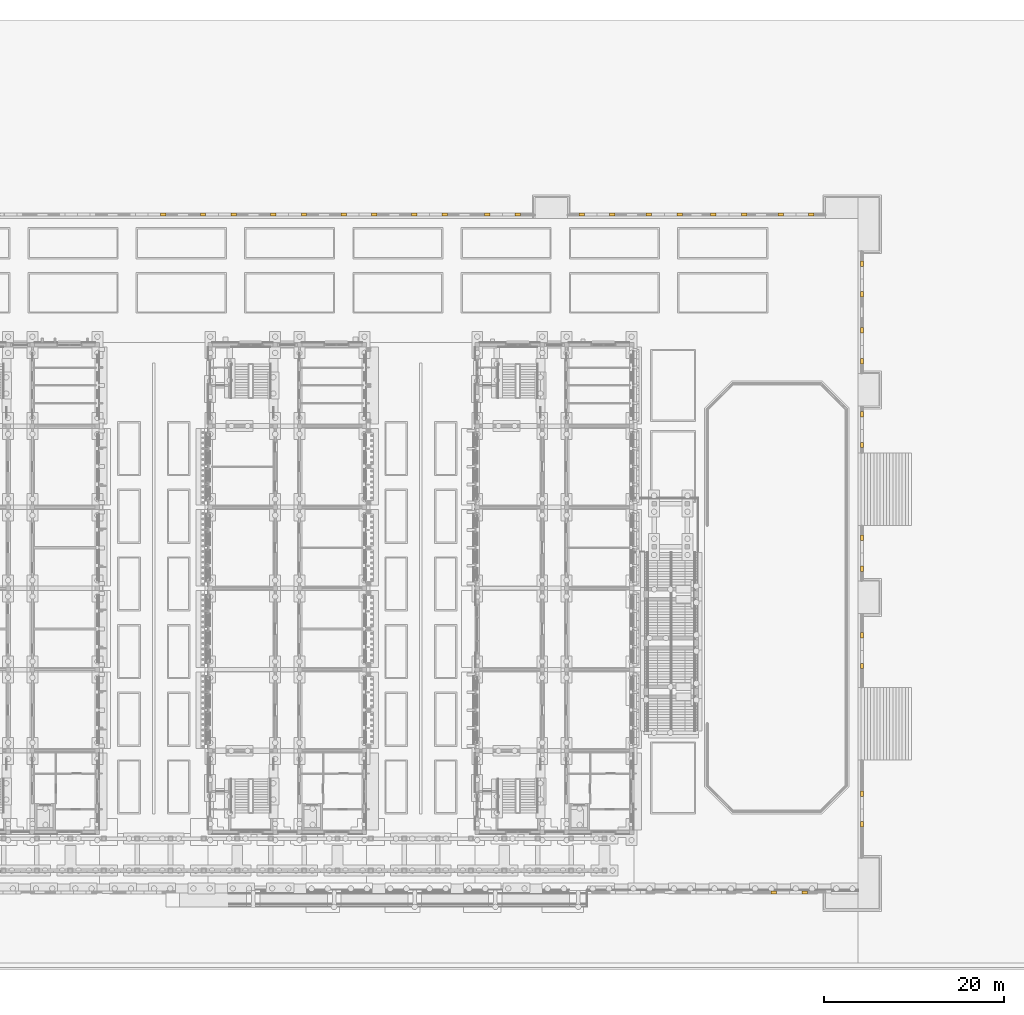
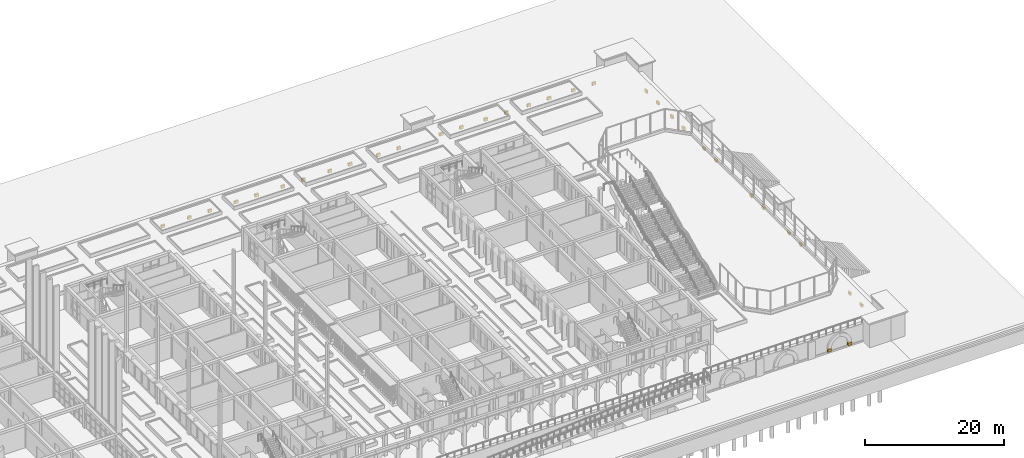
# One storey, part 160 of 161: 33 coverings.
"""IFC4 building model written with IfcOpenShell, lengths in metres."""

from ifc_helpers import new_model, si_unit, direction, frame, origin, place, context, subcontext, project, spatial, polyline, outline, extrude, material, layer, layer_set, type_object, element, save


model = new_model("IFC4")

# Units and contexts
model_context = context("Model", 3, precision=1e-05, world=origin(), true_north=direction((0.0, 1.0)))
body_context = subcontext(model_context, "Body", "Model", "MODEL_VIEW")
ifc_project = project(units=[si_unit("LENGTHUNIT", "METRE"), si_unit("AREAUNIT", "SQUARE_METRE"), si_unit("VOLUMEUNIT", "CUBIC_METRE"), si_unit("PLANEANGLEUNIT", "RADIAN"), si_unit("MASSUNIT", "GRAM", prefix="KILO")], contexts=[model_context])

# Site, building, storey
site_placement = place(None, origin())
site = spatial("IfcSite", under=ifc_project, at=site_placement, CompositionType="ELEMENT")
building_placement = place(site_placement, origin())
building = spatial("IfcBuilding", under=site, at=building_placement, Name="Elbe Cascade School", CompositionType="ELEMENT")
storey_placement = place(building_placement, origin())
storey = spatial("IfcBuildingStorey", under=building, at=storey_placement, Name="L00", CompositionType="ELEMENT", Elevation=0.0)

# Coverings
ifc_material = material(Name="Sandstone - red", Category="masonry")
ifc_layer = layer(ifc_material, 0.300048828125)
ifc_layer_set = layer_set([ifc_layer], Name="Sandstone - red")
covering_type = type_object("IfcCoveringType", Name="Plinth niche frame leg 600x300", PredefinedType="CLADDING", material=ifc_layer_set)
covering_1_placement = place(storey_placement, frame((0.0, 0.0, -2.85009765625)))
element("IfcCovering", 1, at=covering_1_placement, inside=storey, type_object=covering_type, Name="Plinth niche frame leg east 0.1.1a", PredefinedType="CLADDING", context=body_context, shape_type="SweptSolid", body=[
    extrude(outline(polyline([(200.300048828125, 6.550048828125), (200.60009765625, 6.550048828125), (200.60009765625, 7.14990234375), (200.300048828125, 7.14990234375), (200.300048828125, 6.550048828125)])), origin(), (0.0, 0.0, 1.0), 0.5),
])
covering_2_placement = place(storey_placement, frame((0.0, 0.0, -2.85009765625)))
element("IfcCovering", 2, at=covering_2_placement, inside=storey, type_object=covering_type, Name="Plinth niche frame leg east 0.1.1b", PredefinedType="CLADDING", context=body_context, shape_type="SweptSolid", body=[
    extrude(outline(polyline([(200.300048828125, 9.949951171875), (200.60009765625, 9.949951171875), (200.60009765625, 10.550048828125), (200.300048828125, 10.550048828125), (200.300048828125, 9.949951171875)])), origin(), (0.0, 0.0, 1.0), 0.5),
])
covering_3_placement = place(storey_placement, frame((0.0, 0.0, -2.85009765625)))
element("IfcCovering", 3, at=covering_3_placement, inside=storey, type_object=covering_type, Name="Plinth niche frame leg east 0.2.1a", PredefinedType="CLADDING", context=body_context, shape_type="SweptSolid", body=[
    extrude(outline(polyline([(200.300048828125, 24.10009765625), (200.60009765625, 24.10009765625), (200.60009765625, 24.699951171875), (200.300048828125, 24.699951171875), (200.300048828125, 24.10009765625)])), origin(), (0.0, 0.0, 1.0), 0.5),
])
covering_4_placement = place(storey_placement, frame((0.0, 0.0, -2.85009765625)))
element("IfcCovering", 4, at=covering_4_placement, inside=storey, type_object=covering_type, Name="Plinth niche frame leg east 0.2.1b", PredefinedType="CLADDING", context=body_context, shape_type="SweptSolid", body=[
    extrude(outline(polyline([(200.300048828125, 27.5), (200.60009765625, 27.5), (200.60009765625, 28.10009765625), (200.300048828125, 28.10009765625), (200.300048828125, 27.5)])), origin(), (0.0, 0.0, 1.0), 0.5),
])
covering_5_placement = place(storey_placement, frame((0.0, 0.0, -2.85009765625)))
element("IfcCovering", 5, at=covering_5_placement, inside=storey, type_object=covering_type, Name="Plinth niche frame leg east 0.3.1a", PredefinedType="CLADDING", context=body_context, shape_type="SweptSolid", body=[
    extrude(outline(polyline([(200.300048828125, 34.89990234375), (200.60009765625, 34.89990234375), (200.60009765625, 35.5), (200.300048828125, 35.5), (200.300048828125, 34.89990234375)])), origin(), (0.0, 0.0, 1.0), 0.5),
])
covering_6_placement = place(storey_placement, frame((0.0, 0.0, -2.85009765625)))
element("IfcCovering", 6, at=covering_6_placement, inside=storey, type_object=covering_type, Name="Plinth niche frame leg east 0.3.1b", PredefinedType="CLADDING", context=body_context, shape_type="SweptSolid", body=[
    extrude(outline(polyline([(200.300048828125, 38.300048828125), (200.60009765625, 38.300048828125), (200.60009765625, 38.89990234375), (200.300048828125, 38.89990234375), (200.300048828125, 38.300048828125)])), origin(), (0.0, 0.0, 1.0), 0.5),
])
covering_7_placement = place(storey_placement, frame((0.0, 0.0, -2.85009765625)))
element("IfcCovering", 7, at=covering_7_placement, inside=storey, type_object=covering_type, Name="Plinth niche frame leg east 0.4.1a", PredefinedType="CLADDING", context=body_context, shape_type="SweptSolid", body=[
    extrude(outline(polyline([(200.300048828125, 48.60009765625), (200.60009765625, 48.60009765625), (200.60009765625, 49.199951171875), (200.300048828125, 49.199951171875), (200.300048828125, 48.60009765625)])), origin(), (0.0, 0.0, 1.0), 0.5),
])
covering_8_placement = place(storey_placement, frame((0.0, 0.0, -2.85009765625)))
element("IfcCovering", 8, at=covering_8_placement, inside=storey, type_object=covering_type, Name="Plinth niche frame leg east 0.4.1b", PredefinedType="CLADDING", context=body_context, shape_type="SweptSolid", body=[
    extrude(outline(polyline([(200.300048828125, 52.0), (200.60009765625, 52.0), (200.60009765625, 52.60009765625), (200.300048828125, 52.60009765625), (200.300048828125, 52.0)])), origin(), (0.0, 0.0, 1.0), 0.5),
])
covering_9_placement = place(storey_placement, frame((0.0, 0.0, -2.85009765625)))
element("IfcCovering", 9, at=covering_9_placement, inside=storey, type_object=covering_type, Name="Plinth niche frame leg east 0.5.1a", PredefinedType="CLADDING", context=body_context, shape_type="SweptSolid", body=[
    extrude(outline(polyline([(200.300048828125, 57.89990234375), (200.60009765625, 57.89990234375), (200.60009765625, 58.5), (200.300048828125, 58.5), (200.300048828125, 57.89990234375)])), origin(), (0.0, 0.0, 1.0), 0.5),
])
covering_10_placement = place(storey_placement, frame((0.0, 0.0, -2.85009765625)))
element("IfcCovering", 10, at=covering_10_placement, inside=storey, type_object=covering_type, Name="Plinth niche frame leg east 0.5.1b", PredefinedType="CLADDING", context=body_context, shape_type="SweptSolid", body=[
    extrude(outline(polyline([(200.300048828125, 61.300048828125), (200.60009765625, 61.300048828125), (200.60009765625, 61.89990234375), (200.300048828125, 61.89990234375), (200.300048828125, 61.300048828125)])), origin(), (0.0, 0.0, 1.0), 0.5),
])
covering_11_placement = place(storey_placement, frame((0.0, 0.0, -2.85009765625)))
element("IfcCovering", 11, at=covering_11_placement, inside=storey, type_object=covering_type, Name="Plinth niche frame leg east 0.5.2a", PredefinedType="CLADDING", context=body_context, shape_type="SweptSolid", body=[
    extrude(outline(polyline([(200.300048828125, 65.300048828125), (200.60009765625, 65.300048828125), (200.60009765625, 65.89990234375), (200.300048828125, 65.89990234375), (200.300048828125, 65.300048828125)])), origin(), (0.0, 0.0, 1.0), 0.5),
])
covering_12_placement = place(storey_placement, frame((0.0, 0.0, -2.85009765625)))
element("IfcCovering", 12, at=covering_12_placement, inside=storey, type_object=covering_type, Name="Plinth niche frame leg east 0.5.2b", PredefinedType="CLADDING", context=body_context, shape_type="SweptSolid", body=[
    extrude(outline(polyline([(200.300048828125, 68.699951171875), (200.60009765625, 68.699951171875), (200.60009765625, 69.300048828125), (200.300048828125, 69.300048828125), (200.300048828125, 68.699951171875)])), origin(), (0.0, 0.0, 1.0), 0.5),
])
covering_13_placement = place(storey_placement, frame((0.0, 0.0, -2.85009765625)))
element("IfcCovering", 13, at=covering_13_placement, inside=storey, type_object=covering_type, Name="Plinth niche frame leg north 0.3.3a", PredefinedType="CLADDING", context=body_context, shape_type="SweptSolid", body=[
    extrude(outline(polyline([(122.699951171875, 74.300048828125), (123.300048828125, 74.300048828125), (123.300048828125, 74.60009765625), (122.699951171875, 74.60009765625), (122.699951171875, 74.300048828125)])), origin(), (0.0, 0.0, 1.0), 0.5),
])
covering_14_placement = place(storey_placement, frame((0.0, 0.0, -2.85009765625)))
element("IfcCovering", 14, at=covering_14_placement, inside=storey, type_object=covering_type, Name="Plinth niche frame leg north 0.3.4a", PredefinedType="CLADDING", context=body_context, shape_type="SweptSolid", body=[
    extrude(outline(polyline([(130.5, 74.300048828125), (131.10009765625, 74.300048828125), (131.10009765625, 74.60009765625), (130.5, 74.60009765625), (130.5, 74.300048828125)])), origin(), (0.0, 0.0, 1.0), 0.5),
])
covering_15_placement = place(storey_placement, frame((0.0, 0.0, -2.85009765625)))
element("IfcCovering", 15, at=covering_15_placement, inside=storey, type_object=covering_type, Name="Plinth niche frame leg north 0.3.4b", PredefinedType="CLADDING", context=body_context, shape_type="SweptSolid", body=[
    extrude(outline(polyline([(127.10009765625, 74.300048828125), (127.699951171875, 74.300048828125), (127.699951171875, 74.60009765625), (127.10009765625, 74.60009765625), (127.10009765625, 74.300048828125)])), origin(), (0.0, 0.0, 1.0), 0.5),
])
covering_16_placement = place(storey_placement, frame((0.0, 0.0, -2.85009765625)))
element("IfcCovering", 16, at=covering_16_placement, inside=storey, type_object=covering_type, Name="Plinth niche frame leg north 0.3.5a", PredefinedType="CLADDING", context=body_context, shape_type="SweptSolid", body=[
    extrude(outline(polyline([(138.300048828125, 74.300048828125), (138.89990234375, 74.300048828125), (138.89990234375, 74.60009765625), (138.300048828125, 74.60009765625), (138.300048828125, 74.300048828125)])), origin(), (0.0, 0.0, 1.0), 0.5),
])
covering_17_placement = place(storey_placement, frame((0.0, 0.0, -2.85009765625)))
element("IfcCovering", 17, at=covering_17_placement, inside=storey, type_object=covering_type, Name="Plinth niche frame leg north 0.3.5b", PredefinedType="CLADDING", context=body_context, shape_type="SweptSolid", body=[
    extrude(outline(polyline([(134.89990234375, 74.300048828125), (135.5, 74.300048828125), (135.5, 74.60009765625), (134.89990234375, 74.60009765625), (134.89990234375, 74.300048828125)])), origin(), (0.0, 0.0, 1.0), 0.5),
])
covering_18_placement = place(storey_placement, frame((0.0, 0.0, -2.85009765625)))
element("IfcCovering", 18, at=covering_18_placement, inside=storey, type_object=covering_type, Name="Plinth niche frame leg north 0.3.6a", PredefinedType="CLADDING", context=body_context, shape_type="SweptSolid", body=[
    extrude(outline(polyline([(146.10009765625, 74.300048828125), (146.699951171875, 74.300048828125), (146.699951171875, 74.60009765625), (146.10009765625, 74.60009765625), (146.10009765625, 74.300048828125)])), origin(), (0.0, 0.0, 1.0), 0.5),
])
covering_19_placement = place(storey_placement, frame((0.0, 0.0, -2.85009765625)))
element("IfcCovering", 19, at=covering_19_placement, inside=storey, type_object=covering_type, Name="Plinth niche frame leg north 0.3.6b", PredefinedType="CLADDING", context=body_context, shape_type="SweptSolid", body=[
    extrude(outline(polyline([(142.699951171875, 74.300048828125), (143.300048828125, 74.300048828125), (143.300048828125, 74.60009765625), (142.699951171875, 74.60009765625), (142.699951171875, 74.300048828125)])), origin(), (0.0, 0.0, 1.0), 0.5),
])
covering_20_placement = place(storey_placement, frame((0.0, 0.0, -2.85009765625)))
element("IfcCovering", 20, at=covering_20_placement, inside=storey, type_object=covering_type, Name="Plinth niche frame leg north 0.3.7a", PredefinedType="CLADDING", context=body_context, shape_type="SweptSolid", body=[
    extrude(outline(polyline([(153.89990234375, 74.300048828125), (154.5, 74.300048828125), (154.5, 74.60009765625), (153.89990234375, 74.60009765625), (153.89990234375, 74.300048828125)])), origin(), (0.0, 0.0, 1.0), 0.5),
])
covering_21_placement = place(storey_placement, frame((0.0, 0.0, -2.85009765625)))
element("IfcCovering", 21, at=covering_21_placement, inside=storey, type_object=covering_type, Name="Plinth niche frame leg north 0.3.7b", PredefinedType="CLADDING", context=body_context, shape_type="SweptSolid", body=[
    extrude(outline(polyline([(150.5, 74.300048828125), (151.10009765625, 74.300048828125), (151.10009765625, 74.60009765625), (150.5, 74.60009765625), (150.5, 74.300048828125)])), origin(), (0.0, 0.0, 1.0), 0.5),
])
covering_22_placement = place(storey_placement, frame((0.0, 0.0, -2.85009765625)))
element("IfcCovering", 22, at=covering_22_placement, inside=storey, type_object=covering_type, Name="Plinth niche frame leg north 0.3.8a", PredefinedType="CLADDING", context=body_context, shape_type="SweptSolid", body=[
    extrude(outline(polyline([(162.0, 74.300048828125), (162.60009765625, 74.300048828125), (162.60009765625, 74.60009765625), (162.0, 74.60009765625), (162.0, 74.300048828125)])), origin(), (0.0, 0.0, 1.0), 0.5),
])
covering_23_placement = place(storey_placement, frame((0.0, 0.0, -2.85009765625)))
element("IfcCovering", 23, at=covering_23_placement, inside=storey, type_object=covering_type, Name="Plinth niche frame leg north 0.3.8b", PredefinedType="CLADDING", context=body_context, shape_type="SweptSolid", body=[
    extrude(outline(polyline([(158.60009765625, 74.300048828125), (159.199951171875, 74.300048828125), (159.199951171875, 74.60009765625), (158.60009765625, 74.60009765625), (158.60009765625, 74.300048828125)])), origin(), (0.0, 0.0, 1.0), 0.5),
])
covering_24_placement = place(storey_placement, frame((0.0, 0.0, -2.85009765625)))
element("IfcCovering", 24, at=covering_24_placement, inside=storey, type_object=covering_type, Name="Plinth niche frame leg north 0.4.1a", PredefinedType="CLADDING", context=body_context, shape_type="SweptSolid", body=[
    extrude(outline(polyline([(172.47509765625, 74.300048828125), (173.074951171875, 74.300048828125), (173.074951171875, 74.60009765625), (172.47509765625, 74.60009765625), (172.47509765625, 74.300048828125)])), origin(), (0.0, 0.0, 1.0), 0.5),
])
covering_25_placement = place(storey_placement, frame((0.0, 0.0, -2.85009765625)))
element("IfcCovering", 25, at=covering_25_placement, inside=storey, type_object=covering_type, Name="Plinth niche frame leg north 0.4.1b", PredefinedType="CLADDING", context=body_context, shape_type="SweptSolid", body=[
    extrude(outline(polyline([(169.074951171875, 74.300048828125), (169.675048828125, 74.300048828125), (169.675048828125, 74.60009765625), (169.074951171875, 74.60009765625), (169.074951171875, 74.300048828125)])), origin(), (0.0, 0.0, 1.0), 0.5),
])
covering_26_placement = place(storey_placement, frame((0.0, 0.0, -2.85009765625)))
element("IfcCovering", 26, at=covering_26_placement, inside=storey, type_object=covering_type, Name="Plinth niche frame leg north 0.4.2a", PredefinedType="CLADDING", context=body_context, shape_type="SweptSolid", body=[
    extrude(outline(polyline([(179.925048828125, 74.300048828125), (180.52490234375, 74.300048828125), (180.52490234375, 74.60009765625), (179.925048828125, 74.60009765625), (179.925048828125, 74.300048828125)])), origin(), (0.0, 0.0, 1.0), 0.5),
])
covering_27_placement = place(storey_placement, frame((0.0, 0.0, -2.85009765625)))
element("IfcCovering", 27, at=covering_27_placement, inside=storey, type_object=covering_type, Name="Plinth niche frame leg north 0.4.2b", PredefinedType="CLADDING", context=body_context, shape_type="SweptSolid", body=[
    extrude(outline(polyline([(176.52490234375, 74.300048828125), (177.125, 74.300048828125), (177.125, 74.60009765625), (176.52490234375, 74.60009765625), (176.52490234375, 74.300048828125)])), origin(), (0.0, 0.0, 1.0), 0.5),
])
covering_28_placement = place(storey_placement, frame((0.0, 0.0, -2.85009765625)))
element("IfcCovering", 28, at=covering_28_placement, inside=storey, type_object=covering_type, Name="Plinth niche frame leg north 0.4.3a", PredefinedType="CLADDING", context=body_context, shape_type="SweptSolid", body=[
    extrude(outline(polyline([(187.074951171875, 74.300048828125), (187.675048828125, 74.300048828125), (187.675048828125, 74.60009765625), (187.074951171875, 74.60009765625), (187.074951171875, 74.300048828125)])), origin(), (0.0, 0.0, 1.0), 0.5),
])
covering_29_placement = place(storey_placement, frame((0.0, 0.0, -2.85009765625)))
element("IfcCovering", 29, at=covering_29_placement, inside=storey, type_object=covering_type, Name="Plinth niche frame leg north 0.4.3b", PredefinedType="CLADDING", context=body_context, shape_type="SweptSolid", body=[
    extrude(outline(polyline([(183.675048828125, 74.300048828125), (184.27490234375, 74.300048828125), (184.27490234375, 74.60009765625), (183.675048828125, 74.60009765625), (183.675048828125, 74.300048828125)])), origin(), (0.0, 0.0, 1.0), 0.5),
])
covering_30_placement = place(storey_placement, frame((0.0, 0.0, -2.85009765625)))
element("IfcCovering", 30, at=covering_30_placement, inside=storey, type_object=covering_type, Name="Plinth niche frame leg north 0.4.4a", PredefinedType="CLADDING", context=body_context, shape_type="SweptSolid", body=[
    extrude(outline(polyline([(194.52490234375, 74.300048828125), (195.125, 74.300048828125), (195.125, 74.60009765625), (194.52490234375, 74.60009765625), (194.52490234375, 74.300048828125)])), origin(), (0.0, 0.0, 1.0), 0.5),
])
covering_31_placement = place(storey_placement, frame((0.0, 0.0, -2.85009765625)))
element("IfcCovering", 31, at=covering_31_placement, inside=storey, type_object=covering_type, Name="Plinth niche frame leg north 0.4.4b", PredefinedType="CLADDING", context=body_context, shape_type="SweptSolid", body=[
    extrude(outline(polyline([(191.125, 74.300048828125), (191.72509765625, 74.300048828125), (191.72509765625, 74.60009765625), (191.125, 74.60009765625), (191.125, 74.300048828125)])), origin(), (0.0, 0.0, 1.0), 0.5),
])
covering_32_placement = place(storey_placement, frame((0.0, 0.0, -2.85009765625)))
element("IfcCovering", 32, at=covering_32_placement, inside=storey, type_object=covering_type, Name="Plinth niche frame leg south 0.6.3a", PredefinedType="CLADDING", context=body_context, shape_type="SweptSolid", body=[
    extrude(outline(polyline([(190.38330078125, -0.860107421875), (190.9833984375, -0.860107421875), (190.9833984375, -0.56005859375), (190.38330078125, -0.56005859375), (190.38330078125, -0.860107421875)])), origin(), (0.0, 0.0, 1.0), 0.5),
])
covering_33_placement = place(storey_placement, frame((0.0, 0.0, -2.85009765625)))
element("IfcCovering", 33, at=covering_33_placement, inside=storey, type_object=covering_type, Name="Plinth niche frame leg south 0.6.3b", PredefinedType="CLADDING", context=body_context, shape_type="SweptSolid", body=[
    extrude(outline(polyline([(193.783447265625, -0.860107421875), (194.38330078125, -0.860107421875), (194.38330078125, -0.56005859375), (193.783447265625, -0.56005859375), (193.783447265625, -0.860107421875)])), origin(), (0.0, 0.0, 1.0), 0.5),
])

save(model, "model.ifc")
